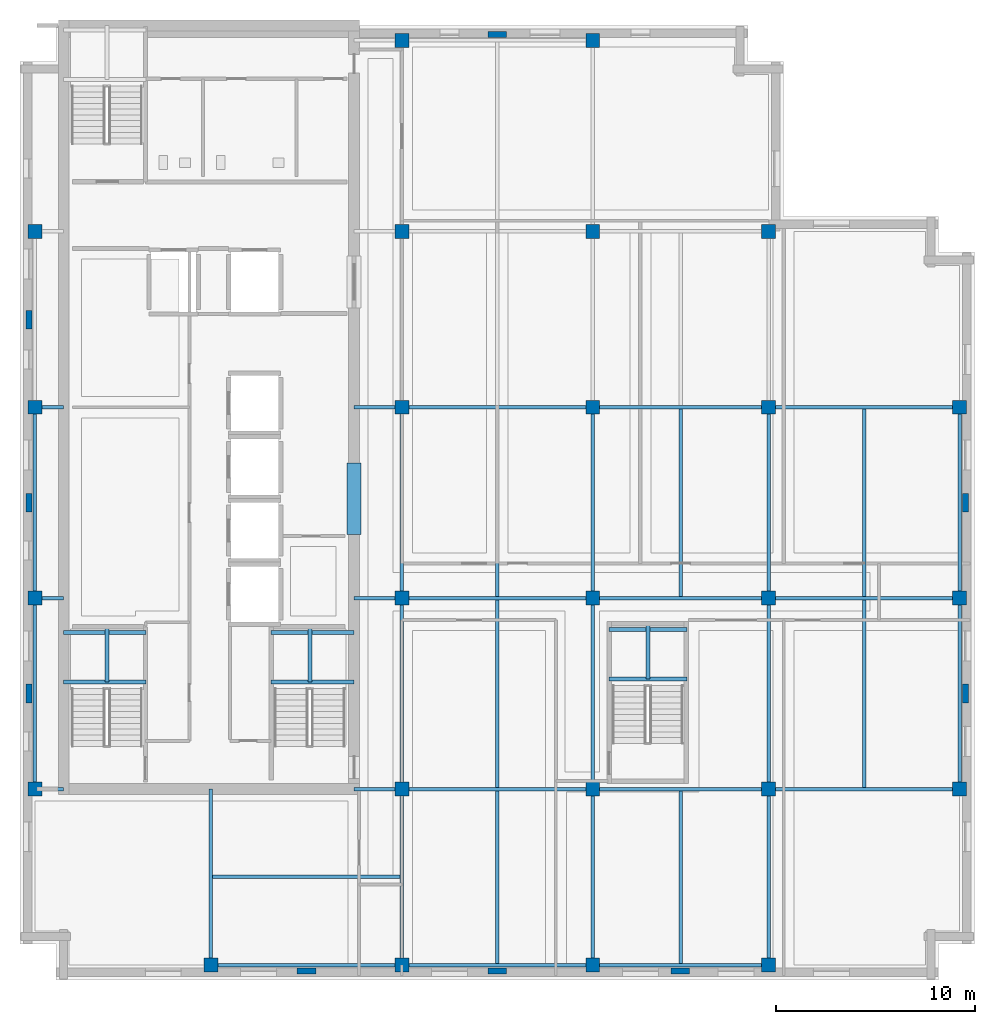
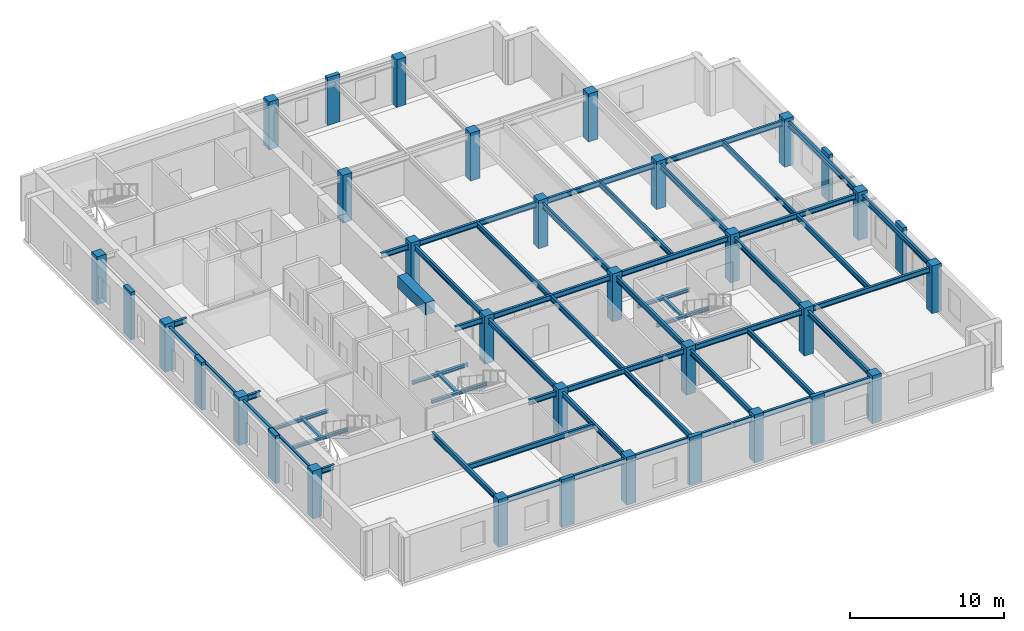
# One storey, part 1 of 11: 50 beams, 34 columns.
"""IFC4 building model written with IfcOpenShell, lengths in metres."""

from ifc_helpers import new_model, si_unit, direction, frame, origin, origin_2d, place, context, subcontext, project, spatial, rectangle, i_section, extrude, material, material_profile, profile_set, type_object, element, save


model = new_model("IFC4")

# Units and contexts
model_context = context("Model", 3, precision=1e-05, world=origin(), true_north=direction((0.0, 1.0)))
body_context = subcontext(model_context, "Body", "Model", "MODEL_VIEW")
ifc_project = project(units=[si_unit("LENGTHUNIT", "METRE"), si_unit("AREAUNIT", "SQUARE_METRE"), si_unit("VOLUMEUNIT", "CUBIC_METRE"), si_unit("PLANEANGLEUNIT", "RADIAN"), si_unit("MASSUNIT", "GRAM", prefix="KILO")], contexts=[model_context])

# Site, building, storey
site_placement = place(None, origin())
site = spatial("IfcSite", under=ifc_project, at=site_placement, CompositionType="ELEMENT")
building_placement = place(site_placement, origin())
building = spatial("IfcBuilding", under=site, at=building_placement, Name="Norrvale University Quadrangle", CompositionType="ELEMENT")
storey_placement = place(building_placement, frame((0.0, 0.0, 288.60009765625)))
storey = spatial("IfcBuildingStorey", under=building, at=storey_placement, Name="L73", CompositionType="ELEMENT", Elevation=288.60009765625)

# Columns
ifc_material_1 = material(Name="Red Manganese Brick Concrete C60/75", Category="concrete")
ifc_material_profile_1 = material_profile(ifc_material_1, rectangle(XDim=0.949951171875, YDim=0.300048828125, at=origin_2d()), Name="Red Manganese Brick Concrete C60/75")
ifc_profile_set_1 = profile_set([ifc_material_profile_1], Name="Red Manganese Brick Concrete C60/75")
column_type_1 = type_object("IfcColumnType", Name="Column Brick Pier 950x300", PredefinedType="PILASTER", material=ifc_profile_set_1)
for number, where, z_axis, x_axis, name in (
    (1, (0.449951171875, 14.39990234375, 0.0), (0.0, 0.0, 1.0), (0.0, 1.0, 0.0), "Exterior Brick Facade Pilaster L73-01"),
    (2, (0.449951171875, 24.0, 0.0), (0.0, 0.0, 1.0), (0.0, 1.0, 0.0), "Exterior Brick Facade Pilaster L73-02"),
    (3, (0.449951171875, 33.199951171875, 0.0), (0.0, 0.0, 1.0), (0.0, 1.0, 0.0), "Exterior Brick Facade Pilaster L73-03"),
    (4, (14.39990234375, 0.449951171875, 0.0), (0.0, 0.0, 1.0), (1.0, 0.0, 0.0), "Exterior Brick Facade Pilaster L73-04"),
    (5, (24.0, 0.449951171875, 0.0), (0.0, 0.0, 1.0), (1.0, 0.0, 0.0), "Exterior Brick Facade Pilaster L73-05"),
    (6, (33.199951171875, 0.449951171875, 0.0), (0.0, 0.0, 1.0), (1.0, 0.0, 0.0), "Exterior Brick Facade Pilaster L73-06"),
    (7, (47.550048828125, 14.39990234375, 0.0), (0.0, 0.0, 1.0), (0.0, 1.0, 0.0), "Exterior Brick Facade Pilaster L73-07"),
    (8, (47.550048828125, 24.0, 0.0), (0.0, 0.0, 1.0), (0.0, 1.0, 0.0), "Exterior Brick Facade Pilaster L73-08"),
    (9, (24.0, 47.550048828125, 0.0), (0.0, 0.0, 1.0), (1.0, 0.0, 0.0), "Exterior Brick Facade Pilaster L73-09"),
):
    element("IfcColumn", number, at=place(storey_placement, frame(where, z_axis=z_axis, x_axis=x_axis)), inside=storey, type_object=column_type_1, Name=name, PredefinedType="PILASTER", context=body_context, shape_type="SweptSolid", body=[
        extrude(rectangle(XDim=0.949951171875, YDim=0.300048828125, at=origin_2d()), origin(), (0.0, 0.0, 1.0), 3.7998046875),
    ])
ifc_material_2 = material(Name="Concrete C60/75", Category="concrete")
ifc_material_profile_2 = material_profile(ifc_material_2, rectangle(XDim=0.699951171875, YDim=0.699951171875, at=origin_2d()), Name="Concrete C60/75")
ifc_profile_set_2 = profile_set([ifc_material_profile_2], Name="Concrete C60/75")
column_type_2 = type_object("IfcColumnType", Name="Column Tower Z4 700x700", PredefinedType="COLUMN", material=ifc_profile_set_2)
for number, where, z_axis, x_axis, name in (
    (10, (0.75, 9.60009765625, 0.0), (0.0, 0.0, 1.0), (1.0, 0.0, 0.0), "Tower Column L73-T01"),
    (11, (0.75, 19.199951171875, 0.0), (0.0, 0.0, 1.0), (1.0, 0.0, 0.0), "Tower Column L73-T02"),
    (12, (0.75, 28.800048828125, 0.0), (0.0, 0.0, 1.0), (1.0, 0.0, 0.0), "Tower Column L73-T03"),
    (13, (0.75, 37.64990234375, 0.0), (0.0, 0.0, 1.0), (1.0, 0.0, 0.0), "Tower Column L73-T04"),
    (14, (9.60009765625, 0.75, 0.0), (0.0, 0.0, 1.0), (1.0, 0.0, 0.0), "Tower Column L73-T05"),
    (15, (19.199951171875, 0.75, 0.0), (0.0, 0.0, 1.0), (1.0, 0.0, 0.0), "Tower Column L73-T06"),
    (16, (19.199951171875, 9.60009765625, 0.0), (0.0, 0.0, 1.0), (1.0, 0.0, 0.0), "Tower Column L73-T07"),
    (17, (19.199951171875, 19.199951171875, 0.0), (0.0, 0.0, 1.0), (1.0, 0.0, 0.0), "Tower Column L73-T08"),
    (18, (19.199951171875, 28.800048828125, 0.0), (0.0, 0.0, 1.0), (1.0, 0.0, 0.0), "Tower Column L73-T09"),
    (19, (19.199951171875, 37.64990234375, 0.0), (0.0, 0.0, 1.0), (1.0, 0.0, 0.0), "Tower Column L73-T10"),
    (20, (19.199951171875, 47.25, 0.0), (0.0, 0.0, 1.0), (1.0, 0.0, 0.0), "Tower Column L73-T11"),
    (21, (28.800048828125, 0.75, 0.0), (0.0, 0.0, 1.0), (1.0, 0.0, 0.0), "Tower Column L73-T12"),
    (22, (28.800048828125, 9.60009765625, 0.0), (0.0, 0.0, 1.0), (1.0, 0.0, 0.0), "Tower Column L73-T13"),
    (23, (28.800048828125, 19.199951171875, 0.0), (0.0, 0.0, 1.0), (1.0, 0.0, 0.0), "Tower Column L73-T14"),
    (24, (28.800048828125, 28.800048828125, 0.0), (0.0, 0.0, 1.0), (1.0, 0.0, 0.0), "Tower Column L73-T15"),
    (25, (28.800048828125, 37.64990234375, 0.0), (0.0, 0.0, 1.0), (1.0, 0.0, 0.0), "Tower Column L73-T16"),
    (26, (28.800048828125, 47.25, 0.0), (0.0, 0.0, 1.0), (1.0, 0.0, 0.0), "Tower Column L73-T17"),
    (27, (37.64990234375, 0.75, 0.0), (0.0, 0.0, 1.0), (1.0, 0.0, 0.0), "Tower Column L73-T18"),
    (28, (37.64990234375, 9.60009765625, 0.0), (0.0, 0.0, 1.0), (1.0, 0.0, 0.0), "Tower Column L73-T19"),
    (29, (37.64990234375, 19.199951171875, 0.0), (0.0, 0.0, 1.0), (1.0, 0.0, 0.0), "Tower Column L73-T20"),
    (30, (37.64990234375, 28.800048828125, 0.0), (0.0, 0.0, 1.0), (1.0, 0.0, 0.0), "Tower Column L73-T21"),
    (31, (37.64990234375, 37.64990234375, 0.0), (0.0, 0.0, 1.0), (1.0, 0.0, 0.0), "Tower Column L73-T22"),
    (32, (47.25, 9.60009765625, 0.0), (0.0, 0.0, 1.0), (1.0, 0.0, 0.0), "Tower Column L73-T23"),
    (33, (47.25, 19.199951171875, 0.0), (0.0, 0.0, 1.0), (1.0, 0.0, 0.0), "Tower Column L73-T24"),
    (34, (47.25, 28.800048828125, 0.0), (0.0, 0.0, 1.0), (1.0, 0.0, 0.0), "Tower Column L73-T25"),
):
    element("IfcColumn", number, at=place(storey_placement, frame(where, z_axis=z_axis, x_axis=x_axis)), inside=storey, type_object=column_type_2, Name=name, PredefinedType="COLUMN", context=body_context, shape_type="SweptSolid", body=[
        extrude(rectangle(XDim=0.699951171875, YDim=0.699951171875, at=origin_2d()), origin(), (0.0, 0.0, 1.0), 3.7998046875),
    ])

# Beams
ifc_material_3 = material(Name="Steel 350W", Category="steel")
ifc_material_profile_3 = material_profile(ifc_material_3, i_section(OverallWidth=0.180908203125, OverallDepth=0.4169921875, WebThickness=0.010986328125, FlangeThickness=0.018310546875, FilletRadius=0.011962890625, at=origin_2d()), Name="Steel 350W")
ifc_profile_set_3 = profile_set([ifc_material_profile_3], Name="Steel 350W")
beam_type_1 = type_object("IfcBeamType", Name="Beam Atrium W410x85", PredefinedType="BEAM", material=ifc_profile_set_3)
beam_1_placement = place(storey_placement, frame((9.60009765625, 0.75, 3.331298828125), z_axis=(1.0, 0.0, 0.0), x_axis=(0.0, 1.0, 0.0)))
element("IfcBeam", 35, at=beam_1_placement, inside=storey, type_object=beam_type_1, Name="Beam Atrium W410x85 BM-L73-GX001", PredefinedType="BEAM", context=body_context, shape_type="SweptSolid", body=[
    extrude(i_section(OverallWidth=0.180908203125, OverallDepth=0.4169921875, WebThickness=0.010986328125, FlangeThickness=0.018310546875, FilletRadius=0.011962890625, at=origin_2d()), origin(), (0.0, 0.0, 1.0), 9.599853515625),
])
beam_2_placement = place(storey_placement, frame((19.199951171875, 0.75, 3.331298828125), z_axis=(1.0, 0.0, 0.0), x_axis=(0.0, 1.0, 0.0)))
element("IfcBeam", 36, at=beam_2_placement, inside=storey, type_object=beam_type_1, Name="Beam Atrium W410x85 BM-L73-GX002", PredefinedType="BEAM", context=body_context, shape_type="SweptSolid", body=[
    extrude(i_section(OverallWidth=0.180908203125, OverallDepth=0.4169921875, WebThickness=0.010986328125, FlangeThickness=0.018310546875, FilletRadius=0.011962890625, at=origin_2d()), origin(), (0.0, 0.0, 1.0), 9.60009765625),
])
beam_3_placement = place(storey_placement, frame((28.800048828125, 0.75, 3.331298828125), z_axis=(1.0, 0.0, 0.0), x_axis=(0.0, 1.0, 0.0)))
element("IfcBeam", 37, at=beam_3_placement, inside=storey, type_object=beam_type_1, Name="Beam Atrium W410x85 BM-L73-GX003", PredefinedType="BEAM", context=body_context, shape_type="SweptSolid", body=[
    extrude(i_section(OverallWidth=0.180908203125, OverallDepth=0.4169921875, WebThickness=0.010986328125, FlangeThickness=0.018310546875, FilletRadius=0.011962890625, at=origin_2d()), origin(), (0.0, 0.0, 1.0), 8.849853515625),
])
beam_4_placement = place(storey_placement, frame((19.199951171875, 9.60009765625, 3.331298828125), z_axis=(1.0, 0.0, 0.0), x_axis=(0.0, 1.0, 0.0)))
element("IfcBeam", 38, at=beam_4_placement, inside=storey, type_object=beam_type_1, Name="Beam Atrium W410x85 BM-L73-GX004", PredefinedType="BEAM", context=body_context, shape_type="SweptSolid", body=[
    extrude(i_section(OverallWidth=0.180908203125, OverallDepth=0.4169921875, WebThickness=0.010986328125, FlangeThickness=0.018310546875, FilletRadius=0.011962890625, at=origin_2d()), origin(), (0.0, 0.0, 1.0), 9.60009765625),
])
beam_5_placement = place(storey_placement, frame((28.800048828125, 9.60009765625, 3.331298828125), z_axis=(1.0, 0.0, 0.0), x_axis=(0.0, 1.0, 0.0)))
element("IfcBeam", 39, at=beam_5_placement, inside=storey, type_object=beam_type_1, Name="Beam Atrium W410x85 BM-L73-GX005", PredefinedType="BEAM", context=body_context, shape_type="SweptSolid", body=[
    extrude(i_section(OverallWidth=0.180908203125, OverallDepth=0.4169921875, WebThickness=0.010986328125, FlangeThickness=0.018310546875, FilletRadius=0.011962890625, at=origin_2d()), origin(), (0.0, 0.0, 1.0), 8.849853515625),
])
for number, where, z_axis, x_axis, name in (
    (40, (37.64990234375, 9.60009765625, 3.331298828125), (1.0, 0.0, 0.0), (0.0, 1.0, 0.0), "Beam Atrium W410x85 BM-L73-GX006"),
    (41, (19.199951171875, 19.199951171875, 3.331298828125), (1.0, 0.0, 0.0), (0.0, 1.0, 0.0), "Beam Atrium W410x85 BM-L73-GX007"),
):
    element("IfcBeam", number, at=place(storey_placement, frame(where, z_axis=z_axis, x_axis=x_axis)), inside=storey, type_object=beam_type_1, Name=name, PredefinedType="BEAM", context=body_context, shape_type="SweptSolid", body=[
        extrude(i_section(OverallWidth=0.180908203125, OverallDepth=0.4169921875, WebThickness=0.010986328125, FlangeThickness=0.018310546875, FilletRadius=0.011962890625, at=origin_2d()), origin(), (0.0, 0.0, 1.0), 9.60009765625),
    ])
beam_6_placement = place(storey_placement, frame((28.800048828125, 19.199951171875, 3.331298828125), z_axis=(1.0, 0.0, 0.0), x_axis=(0.0, 1.0, 0.0)))
element("IfcBeam", 42, at=beam_6_placement, inside=storey, type_object=beam_type_1, Name="Beam Atrium W410x85 BM-L73-GX008", PredefinedType="BEAM", context=body_context, shape_type="SweptSolid", body=[
    extrude(i_section(OverallWidth=0.180908203125, OverallDepth=0.4169921875, WebThickness=0.010986328125, FlangeThickness=0.018310546875, FilletRadius=0.011962890625, at=origin_2d()), origin(), (0.0, 0.0, 1.0), 8.849853515625),
])
for number, where, z_axis, x_axis, name in (
    (43, (37.64990234375, 19.199951171875, 3.331298828125), (1.0, 0.0, 0.0), (0.0, 1.0, 0.0), "Beam Atrium W410x85 BM-L73-GX009"),
    (44, (19.199951171875, 28.800048828125, 3.331298828125), (1.0, 0.0, 0.0), (0.0, 1.0, 0.0), "Beam Atrium W410x85 BM-L73-GX010"),
):
    element("IfcBeam", number, at=place(storey_placement, frame(where, z_axis=z_axis, x_axis=x_axis)), inside=storey, type_object=beam_type_1, Name=name, PredefinedType="BEAM", context=body_context, shape_type="SweptSolid", body=[
        extrude(i_section(OverallWidth=0.180908203125, OverallDepth=0.4169921875, WebThickness=0.010986328125, FlangeThickness=0.018310546875, FilletRadius=0.011962890625, at=origin_2d()), origin(), (0.0, 0.0, 1.0), 9.60009765625),
    ])
beam_7_placement = place(storey_placement, frame((28.800048828125, 28.800048828125, 3.331298828125), z_axis=(1.0, 0.0, 0.0), x_axis=(0.0, 1.0, 0.0)))
element("IfcBeam", 45, at=beam_7_placement, inside=storey, type_object=beam_type_1, Name="Beam Atrium W410x85 BM-L73-GX011", PredefinedType="BEAM", context=body_context, shape_type="SweptSolid", body=[
    extrude(i_section(OverallWidth=0.180908203125, OverallDepth=0.4169921875, WebThickness=0.010986328125, FlangeThickness=0.018310546875, FilletRadius=0.011962890625, at=origin_2d()), origin(), (0.0, 0.0, 1.0), 8.849853515625),
])
beam_8_placement = place(storey_placement, frame((37.64990234375, 28.800048828125, 3.331298828125), z_axis=(1.0, 0.0, 0.0), x_axis=(0.0, 1.0, 0.0)))
element("IfcBeam", 46, at=beam_8_placement, inside=storey, type_object=beam_type_1, Name="Beam Atrium W410x85 BM-L73-GX012", PredefinedType="BEAM", context=body_context, shape_type="SweptSolid", body=[
    extrude(i_section(OverallWidth=0.180908203125, OverallDepth=0.4169921875, WebThickness=0.010986328125, FlangeThickness=0.018310546875, FilletRadius=0.011962890625, at=origin_2d()), origin(), (0.0, 0.0, 1.0), 9.60009765625),
])
beam_9_placement = place(storey_placement, frame((0.75, 9.60009765625, 3.331298828125), z_axis=(0.0, 1.0, 0.0), x_axis=(-1.0, 0.0, 0.0)))
element("IfcBeam", 47, at=beam_9_placement, inside=storey, type_object=beam_type_1, Name="Beam Atrium W410x85 BM-L73-GY016", PredefinedType="BEAM", context=body_context, shape_type="SweptSolid", body=[
    extrude(i_section(OverallWidth=0.180908203125, OverallDepth=0.4169921875, WebThickness=0.010986328125, FlangeThickness=0.018310546875, FilletRadius=0.011962890625, at=origin_2d()), origin(), (0.0, 0.0, 1.0), 9.599853515625),
])
beam_10_placement = place(storey_placement, frame((0.75, 19.199951171875, 3.331298828125), z_axis=(0.0, 1.0, 0.0), x_axis=(-1.0, 0.0, 0.0)))
element("IfcBeam", 48, at=beam_10_placement, inside=storey, type_object=beam_type_1, Name="Beam Atrium W410x85 BM-L73-GY017", PredefinedType="BEAM", context=body_context, shape_type="SweptSolid", body=[
    extrude(i_section(OverallWidth=0.180908203125, OverallDepth=0.4169921875, WebThickness=0.010986328125, FlangeThickness=0.018310546875, FilletRadius=0.011962890625, at=origin_2d()), origin(), (0.0, 0.0, 1.0), 9.60009765625),
])
beam_11_placement = place(storey_placement, frame((19.199951171875, 0.75, 3.331298828125), z_axis=(0.0, 1.0, 0.0), x_axis=(-1.0, 0.0, 0.0)))
element("IfcBeam", 49, at=beam_11_placement, inside=storey, type_object=beam_type_1, Name="Beam Atrium W410x85 BM-L73-GY019", PredefinedType="BEAM", context=body_context, shape_type="SweptSolid", body=[
    extrude(i_section(OverallWidth=0.180908203125, OverallDepth=0.4169921875, WebThickness=0.010986328125, FlangeThickness=0.018310546875, FilletRadius=0.011962890625, at=origin_2d()), origin(), (0.0, 0.0, 1.0), 8.85009765625),
])
beam_12_placement = place(storey_placement, frame((19.199951171875, 9.60009765625, 3.331298828125), z_axis=(0.0, 1.0, 0.0), x_axis=(-1.0, 0.0, 0.0)))
element("IfcBeam", 50, at=beam_12_placement, inside=storey, type_object=beam_type_1, Name="Beam Atrium W410x85 BM-L73-GY020", PredefinedType="BEAM", context=body_context, shape_type="SweptSolid", body=[
    extrude(i_section(OverallWidth=0.180908203125, OverallDepth=0.4169921875, WebThickness=0.010986328125, FlangeThickness=0.018310546875, FilletRadius=0.011962890625, at=origin_2d()), origin(), (0.0, 0.0, 1.0), 9.599853515625),
])
beam_13_placement = place(storey_placement, frame((19.199951171875, 19.199951171875, 3.331298828125), z_axis=(0.0, 1.0, 0.0), x_axis=(-1.0, 0.0, 0.0)))
element("IfcBeam", 51, at=beam_13_placement, inside=storey, type_object=beam_type_1, Name="Beam Atrium W410x85 BM-L73-GY021", PredefinedType="BEAM", context=body_context, shape_type="SweptSolid", body=[
    extrude(i_section(OverallWidth=0.180908203125, OverallDepth=0.4169921875, WebThickness=0.010986328125, FlangeThickness=0.018310546875, FilletRadius=0.011962890625, at=origin_2d()), origin(), (0.0, 0.0, 1.0), 9.60009765625),
])
beam_14_placement = place(storey_placement, frame((28.800048828125, 0.75, 3.331298828125), z_axis=(0.0, 1.0, 0.0), x_axis=(-1.0, 0.0, 0.0)))
element("IfcBeam", 52, at=beam_14_placement, inside=storey, type_object=beam_type_1, Name="Beam Atrium W410x85 BM-L73-GY024", PredefinedType="BEAM", context=body_context, shape_type="SweptSolid", body=[
    extrude(i_section(OverallWidth=0.180908203125, OverallDepth=0.4169921875, WebThickness=0.010986328125, FlangeThickness=0.018310546875, FilletRadius=0.011962890625, at=origin_2d()), origin(), (0.0, 0.0, 1.0), 8.85009765625),
])
beam_15_placement = place(storey_placement, frame((28.800048828125, 9.60009765625, 3.331298828125), z_axis=(0.0, 1.0, 0.0), x_axis=(-1.0, 0.0, 0.0)))
element("IfcBeam", 53, at=beam_15_placement, inside=storey, type_object=beam_type_1, Name="Beam Atrium W410x85 BM-L73-GY025", PredefinedType="BEAM", context=body_context, shape_type="SweptSolid", body=[
    extrude(i_section(OverallWidth=0.180908203125, OverallDepth=0.4169921875, WebThickness=0.010986328125, FlangeThickness=0.018310546875, FilletRadius=0.011962890625, at=origin_2d()), origin(), (0.0, 0.0, 1.0), 9.599853515625),
])
beam_16_placement = place(storey_placement, frame((28.800048828125, 19.199951171875, 3.331298828125), z_axis=(0.0, 1.0, 0.0), x_axis=(-1.0, 0.0, 0.0)))
element("IfcBeam", 54, at=beam_16_placement, inside=storey, type_object=beam_type_1, Name="Beam Atrium W410x85 BM-L73-GY026", PredefinedType="BEAM", context=body_context, shape_type="SweptSolid", body=[
    extrude(i_section(OverallWidth=0.180908203125, OverallDepth=0.4169921875, WebThickness=0.010986328125, FlangeThickness=0.018310546875, FilletRadius=0.011962890625, at=origin_2d()), origin(), (0.0, 0.0, 1.0), 9.60009765625),
])
beam_17_placement = place(storey_placement, frame((37.64990234375, 0.75, 3.331298828125), z_axis=(0.0, 1.0, 0.0), x_axis=(-1.0, 0.0, 0.0)))
element("IfcBeam", 55, at=beam_17_placement, inside=storey, type_object=beam_type_1, Name="Beam Atrium W410x85 BM-L73-GY029", PredefinedType="BEAM", context=body_context, shape_type="SweptSolid", body=[
    extrude(i_section(OverallWidth=0.180908203125, OverallDepth=0.4169921875, WebThickness=0.010986328125, FlangeThickness=0.018310546875, FilletRadius=0.011962890625, at=origin_2d()), origin(), (0.0, 0.0, 1.0), 8.85009765625),
])
beam_18_placement = place(storey_placement, frame((37.64990234375, 9.60009765625, 3.331298828125), z_axis=(0.0, 1.0, 0.0), x_axis=(-1.0, 0.0, 0.0)))
element("IfcBeam", 56, at=beam_18_placement, inside=storey, type_object=beam_type_1, Name="Beam Atrium W410x85 BM-L73-GY030", PredefinedType="BEAM", context=body_context, shape_type="SweptSolid", body=[
    extrude(i_section(OverallWidth=0.180908203125, OverallDepth=0.4169921875, WebThickness=0.010986328125, FlangeThickness=0.018310546875, FilletRadius=0.011962890625, at=origin_2d()), origin(), (0.0, 0.0, 1.0), 9.599853515625),
])
beam_19_placement = place(storey_placement, frame((37.64990234375, 19.199951171875, 3.331298828125), z_axis=(0.0, 1.0, 0.0), x_axis=(-1.0, 0.0, 0.0)))
element("IfcBeam", 57, at=beam_19_placement, inside=storey, type_object=beam_type_1, Name="Beam Atrium W410x85 BM-L73-GY031", PredefinedType="BEAM", context=body_context, shape_type="SweptSolid", body=[
    extrude(i_section(OverallWidth=0.180908203125, OverallDepth=0.4169921875, WebThickness=0.010986328125, FlangeThickness=0.018310546875, FilletRadius=0.011962890625, at=origin_2d()), origin(), (0.0, 0.0, 1.0), 9.60009765625),
])
beam_20_placement = place(storey_placement, frame((47.25, 9.60009765625, 3.331298828125), z_axis=(0.0, 1.0, 0.0), x_axis=(-1.0, 0.0, 0.0)))
element("IfcBeam", 58, at=beam_20_placement, inside=storey, type_object=beam_type_1, Name="Beam Atrium W410x85 BM-L73-GY033", PredefinedType="BEAM", context=body_context, shape_type="SweptSolid", body=[
    extrude(i_section(OverallWidth=0.180908203125, OverallDepth=0.4169921875, WebThickness=0.010986328125, FlangeThickness=0.018310546875, FilletRadius=0.011962890625, at=origin_2d()), origin(), (0.0, 0.0, 1.0), 9.599853515625),
])
beam_21_placement = place(storey_placement, frame((47.25, 19.199951171875, 3.331298828125), z_axis=(0.0, 1.0, 0.0), x_axis=(-1.0, 0.0, 0.0)))
element("IfcBeam", 59, at=beam_21_placement, inside=storey, type_object=beam_type_1, Name="Beam Atrium W410x85 BM-L73-GY034", PredefinedType="BEAM", context=body_context, shape_type="SweptSolid", body=[
    extrude(i_section(OverallWidth=0.180908203125, OverallDepth=0.4169921875, WebThickness=0.010986328125, FlangeThickness=0.018310546875, FilletRadius=0.011962890625, at=origin_2d()), origin(), (0.0, 0.0, 1.0), 9.60009765625),
])
beam_22_placement = place(storey_placement, frame((0.75, 9.60009765625, 3.331298828125), z_axis=(1.0, 0.0, 0.0), x_axis=(0.0, 1.0, 0.0)))
element("IfcBeam", 60, at=beam_22_placement, inside=storey, type_object=beam_type_1, Name="Beam Atrium W410x85 BM-L73-GCW035", PredefinedType="BEAM", context=body_context, shape_type="SweptSolid", body=[
    extrude(i_section(OverallWidth=0.180908203125, OverallDepth=0.4169921875, WebThickness=0.010986328125, FlangeThickness=0.018310546875, FilletRadius=0.011962890625, at=origin_2d()), origin(), (0.0, 0.0, 1.0), 1.449951171875),
])
beam_23_placement = place(storey_placement, frame((16.800048828125, 9.60009765625, 3.331298828125), z_axis=(1.0, 0.0, 0.0), x_axis=(0.0, 1.0, 0.0)))
element("IfcBeam", 61, at=beam_23_placement, inside=storey, type_object=beam_type_1, Name="Beam Atrium W410x85 BM-L73-GCE036", PredefinedType="BEAM", context=body_context, shape_type="SweptSolid", body=[
    extrude(i_section(OverallWidth=0.180908203125, OverallDepth=0.4169921875, WebThickness=0.010986328125, FlangeThickness=0.018310546875, FilletRadius=0.011962890625, at=origin_2d()), origin(), (0.0, 0.0, 1.0), 2.39990234375),
])
beam_24_placement = place(storey_placement, frame((0.75, 19.199951171875, 3.331298828125), z_axis=(1.0, 0.0, 0.0), x_axis=(0.0, 1.0, 0.0)))
element("IfcBeam", 62, at=beam_24_placement, inside=storey, type_object=beam_type_1, Name="Beam Atrium W410x85 BM-L73-GCW037", PredefinedType="BEAM", context=body_context, shape_type="SweptSolid", body=[
    extrude(i_section(OverallWidth=0.180908203125, OverallDepth=0.4169921875, WebThickness=0.010986328125, FlangeThickness=0.018310546875, FilletRadius=0.011962890625, at=origin_2d()), origin(), (0.0, 0.0, 1.0), 1.449951171875),
])
beam_25_placement = place(storey_placement, frame((16.800048828125, 19.199951171875, 3.331298828125), z_axis=(1.0, 0.0, 0.0), x_axis=(0.0, 1.0, 0.0)))
element("IfcBeam", 63, at=beam_25_placement, inside=storey, type_object=beam_type_1, Name="Beam Atrium W410x85 BM-L73-GCE038", PredefinedType="BEAM", context=body_context, shape_type="SweptSolid", body=[
    extrude(i_section(OverallWidth=0.180908203125, OverallDepth=0.4169921875, WebThickness=0.010986328125, FlangeThickness=0.018310546875, FilletRadius=0.011962890625, at=origin_2d()), origin(), (0.0, 0.0, 1.0), 2.39990234375),
])
beam_26_placement = place(storey_placement, frame((0.75, 28.800048828125, 3.331298828125), z_axis=(1.0, 0.0, 0.0), x_axis=(0.0, 1.0, 0.0)))
element("IfcBeam", 64, at=beam_26_placement, inside=storey, type_object=beam_type_1, Name="Beam Atrium W410x85 BM-L73-GCW039", PredefinedType="BEAM", context=body_context, shape_type="SweptSolid", body=[
    extrude(i_section(OverallWidth=0.180908203125, OverallDepth=0.4169921875, WebThickness=0.010986328125, FlangeThickness=0.018310546875, FilletRadius=0.011962890625, at=origin_2d()), origin(), (0.0, 0.0, 1.0), 1.449951171875),
])
beam_27_placement = place(storey_placement, frame((16.800048828125, 28.800048828125, 3.331298828125), z_axis=(1.0, 0.0, 0.0), x_axis=(0.0, 1.0, 0.0)))
element("IfcBeam", 65, at=beam_27_placement, inside=storey, type_object=beam_type_1, Name="Beam Atrium W410x85 BM-L73-GCE040", PredefinedType="BEAM", context=body_context, shape_type="SweptSolid", body=[
    extrude(i_section(OverallWidth=0.180908203125, OverallDepth=0.4169921875, WebThickness=0.010986328125, FlangeThickness=0.018310546875, FilletRadius=0.011962890625, at=origin_2d()), origin(), (0.0, 0.0, 1.0), 2.39990234375),
])
beam_28_placement = place(storey_placement, frame((9.60009765625, 0.75, 3.331298828125), z_axis=(0.0, 1.0, 0.0), x_axis=(-1.0, 0.0, 0.0)))
element("IfcBeam", 66, at=beam_28_placement, inside=storey, type_object=beam_type_1, Name="Beam Atrium W410x85 BM-L73-GCS054", PredefinedType="BEAM", context=body_context, shape_type="SweptSolid", body=[
    extrude(i_section(OverallWidth=0.180908203125, OverallDepth=0.4169921875, WebThickness=0.010986328125, FlangeThickness=0.018310546875, FilletRadius=0.011962890625, at=origin_2d()), origin(), (0.0, 0.0, 1.0), 8.85009765625),
])
ifc_material_4 = material(Name="Concrete C80/95", Category="concrete")
ifc_material_profile_4 = material_profile(ifc_material_4, rectangle(XDim=0.699951171875, YDim=0.949951171875, at=origin_2d()), Name="Concrete C80/95")
ifc_profile_set_4 = profile_set([ifc_material_profile_4], Name="Concrete C80/95")
beam_type_2 = type_object("IfcBeamType", Name="Beam Core Link 700x950", PredefinedType="LINTEL", material=ifc_profile_set_4)
beam_29_placement = place(storey_placement, frame((16.800048828125, 22.39990234375, 3.06494140625), z_axis=(0.0, 1.0, 0.0), x_axis=(-1.0, 0.0, 0.0)))
element("IfcBeam", 67, at=beam_29_placement, inside=storey, type_object=beam_type_2, Name="Core Coupling Lintel Beam L73-1", PredefinedType="LINTEL", context=body_context, shape_type="SweptSolid", body=[
    extrude(rectangle(XDim=0.699951171875, YDim=0.949951171875, at=origin_2d()), origin(), (0.0, 0.0, 1.0), 3.60009765625),
])
ifc_material_profile_5 = material_profile(ifc_material_3, i_section(OverallWidth=0.177978515625, OverallDepth=0.406982421875, WebThickness=0.0078125, FlangeThickness=0.0126953125, FilletRadius=0.011962890625, at=origin_2d()), Name="Steel 350W")
ifc_profile_set_5 = profile_set([ifc_material_profile_5], Name="Steel 350W")
beam_type_3 = type_object("IfcBeamType", Name="Beam Roof Purlin W410x60", PredefinedType="USERDEFINED", material=ifc_profile_set_5)
beam_30_placement = place(storey_placement, frame((24.0, 0.840576171875, 3.33642578125), z_axis=(0.0, 1.0, 0.0), x_axis=(-1.0, 0.0, 0.0)))
element("IfcBeam", 68, at=beam_30_placement, inside=storey, type_object=beam_type_3, Name="Beam Roof Purlin W410x60 BM-L73-J044", ObjectType="PURLIN", PredefinedType="USERDEFINED", context=body_context, shape_type="SweptSolid", body=[
    extrude(i_section(OverallWidth=0.177978515625, OverallDepth=0.406982421875, WebThickness=0.0078125, FlangeThickness=0.0126953125, FilletRadius=0.011962890625, at=origin_2d()), origin(), (0.0, 0.0, 1.0), 8.6689453125),
])
beam_31_placement = place(storey_placement, frame((24.0, 9.6904296875, 3.33642578125), z_axis=(0.0, 1.0, 0.0), x_axis=(-1.0, 0.0, 0.0)))
element("IfcBeam", 69, at=beam_31_placement, inside=storey, type_object=beam_type_3, Name="Beam Roof Purlin W410x60 BM-L73-J045", ObjectType="PURLIN", PredefinedType="USERDEFINED", context=body_context, shape_type="SweptSolid", body=[
    extrude(i_section(OverallWidth=0.177978515625, OverallDepth=0.406982421875, WebThickness=0.0078125, FlangeThickness=0.0126953125, FilletRadius=0.011962890625, at=origin_2d()), origin(), (0.0, 0.0, 1.0), 9.419189453125),
])
beam_32_placement = place(storey_placement, frame((24.0, 19.29052734375, 3.33642578125), z_axis=(0.0, 1.0, 0.0), x_axis=(-1.0, 0.0, 0.0)))
element("IfcBeam", 70, at=beam_32_placement, inside=storey, type_object=beam_type_3, Name="Beam Roof Purlin W410x60 BM-L73-J046", ObjectType="PURLIN", PredefinedType="USERDEFINED", context=body_context, shape_type="SweptSolid", body=[
    extrude(i_section(OverallWidth=0.177978515625, OverallDepth=0.406982421875, WebThickness=0.0078125, FlangeThickness=0.0126953125, FilletRadius=0.011962890625, at=origin_2d()), origin(), (0.0, 0.0, 1.0), 9.4189453125),
])
beam_33_placement = place(storey_placement, frame((33.22509765625, 0.840576171875, 3.33642578125), z_axis=(0.0, 1.0, 0.0), x_axis=(-1.0, 0.0, 0.0)))
element("IfcBeam", 71, at=beam_33_placement, inside=storey, type_object=beam_type_3, Name="Beam Roof Purlin W410x60 BM-L73-J049", ObjectType="PURLIN", PredefinedType="USERDEFINED", context=body_context, shape_type="SweptSolid", body=[
    extrude(i_section(OverallWidth=0.177978515625, OverallDepth=0.406982421875, WebThickness=0.0078125, FlangeThickness=0.0126953125, FilletRadius=0.011962890625, at=origin_2d()), origin(), (0.0, 0.0, 1.0), 8.6689453125),
])
beam_34_placement = place(storey_placement, frame((33.22509765625, 19.29052734375, 3.33642578125), z_axis=(0.0, 1.0, 0.0), x_axis=(-1.0, 0.0, 0.0)))
element("IfcBeam", 72, at=beam_34_placement, inside=storey, type_object=beam_type_3, Name="Beam Roof Purlin W410x60 BM-L73-J050", ObjectType="PURLIN", PredefinedType="USERDEFINED", context=body_context, shape_type="SweptSolid", body=[
    extrude(i_section(OverallWidth=0.177978515625, OverallDepth=0.406982421875, WebThickness=0.0078125, FlangeThickness=0.0126953125, FilletRadius=0.011962890625, at=origin_2d()), origin(), (0.0, 0.0, 1.0), 9.4189453125),
])
beam_35_placement = place(storey_placement, frame((42.449951171875, 9.6904296875, 3.33642578125), z_axis=(0.0, 1.0, 0.0), x_axis=(-1.0, 0.0, 0.0)))
element("IfcBeam", 73, at=beam_35_placement, inside=storey, type_object=beam_type_3, Name="Beam Roof Purlin W410x60 BM-L73-J052", ObjectType="PURLIN", PredefinedType="USERDEFINED", context=body_context, shape_type="SweptSolid", body=[
    extrude(i_section(OverallWidth=0.177978515625, OverallDepth=0.406982421875, WebThickness=0.0078125, FlangeThickness=0.0126953125, FilletRadius=0.011962890625, at=origin_2d()), origin(), (0.0, 0.0, 1.0), 9.419189453125),
])
beam_36_placement = place(storey_placement, frame((42.449951171875, 19.29052734375, 3.33642578125), z_axis=(0.0, 1.0, 0.0), x_axis=(-1.0, 0.0, 0.0)))
element("IfcBeam", 74, at=beam_36_placement, inside=storey, type_object=beam_type_3, Name="Beam Roof Purlin W410x60 BM-L73-J053", ObjectType="PURLIN", PredefinedType="USERDEFINED", context=body_context, shape_type="SweptSolid", body=[
    extrude(i_section(OverallWidth=0.177978515625, OverallDepth=0.406982421875, WebThickness=0.0078125, FlangeThickness=0.0126953125, FilletRadius=0.011962890625, at=origin_2d()), origin(), (0.0, 0.0, 1.0), 9.4189453125),
])
beam_37_placement = place(storey_placement, frame((9.6904296875, 5.199951171875, 3.33642578125), z_axis=(1.0, 0.0, 0.0), x_axis=(0.0, 1.0, 0.0)))
element("IfcBeam", 75, at=beam_37_placement, inside=storey, type_object=beam_type_3, Name="Beam Roof Purlin W410x60 BM-L73-JCS055", ObjectType="PURLIN", PredefinedType="USERDEFINED", context=body_context, shape_type="SweptSolid", body=[
    extrude(i_section(OverallWidth=0.177978515625, OverallDepth=0.406982421875, WebThickness=0.0078125, FlangeThickness=0.0126953125, FilletRadius=0.011962890625, at=origin_2d()), origin(), (0.0, 0.0, 1.0), 9.419189453125),
])
ifc_material_profile_6 = material_profile(ifc_material_3, i_section(OverallWidth=0.201904296875, OverallDepth=0.2470703125, WebThickness=0.00732421875, FlangeThickness=0.010986328125, FilletRadius=0.011962890625, at=origin_2d()), Name="Steel 350W")
ifc_profile_set_6 = profile_set([ifc_material_profile_6], Name="Steel 350W")
beam_type_4 = type_object("IfcBeamType", Name="Beam Stair W250x49", PredefinedType="BEAM", material=ifc_profile_set_6)
for number, where, z_axis, x_axis, name in (
    (76, (2.199951171875, 14.989990234375, 1.576416015625), (1.0, 0.0, 0.0), (0.0, 1.0, 0.0), "Stair Mid-Landing Front Beam ST-01 L73"),
    (77, (2.199951171875, 17.469970703125, 1.576416015625), (1.0, 0.0, 0.0), (0.0, 1.0, 0.0), "Stair Mid-Landing Rear Beam ST-01 L73"),
):
    element("IfcBeam", number, at=place(storey_placement, frame(where, z_axis=z_axis, x_axis=x_axis)), inside=storey, type_object=beam_type_4, Name=name, PredefinedType="BEAM", context=body_context, shape_type="SweptSolid", body=[
        extrude(i_section(OverallWidth=0.201904296875, OverallDepth=0.2470703125, WebThickness=0.00732421875, FlangeThickness=0.010986328125, FilletRadius=0.011962890625, at=origin_2d()), origin(), (0.0, 0.0, 1.0), 4.14013671875),
    ])
for number, where, z_axis, x_axis, name in (
    (78, (12.610107421875, 14.989990234375, 1.576416015625), (1.0, 0.0, 0.0), (0.0, 1.0, 0.0), "Stair Mid-Landing Front Beam ST-03 L73"),
    (79, (12.610107421875, 17.469970703125, 1.576416015625), (1.0, 0.0, 0.0), (0.0, 1.0, 0.0), "Stair Mid-Landing Rear Beam ST-03 L73"),
):
    element("IfcBeam", number, at=place(storey_placement, frame(where, z_axis=z_axis, x_axis=x_axis)), inside=storey, type_object=beam_type_4, Name=name, PredefinedType="BEAM", context=body_context, shape_type="SweptSolid", body=[
        extrude(i_section(OverallWidth=0.201904296875, OverallDepth=0.2470703125, WebThickness=0.00732421875, FlangeThickness=0.010986328125, FilletRadius=0.011962890625, at=origin_2d()), origin(), (0.0, 0.0, 1.0), 4.18994140625),
    ])
for number, where, z_axis, x_axis, name in (
    (80, (29.610107421875, 15.139892578125, 1.576416015625), (1.0, 0.0, 0.0), (0.0, 1.0, 0.0), "Stair Mid-Landing Front Beam ST-04 L73"),
    (81, (29.610107421875, 17.6201171875, 1.576416015625), (1.0, 0.0, 0.0), (0.0, 1.0, 0.0), "Stair Mid-Landing Rear Beam ST-04 L73"),
):
    element("IfcBeam", number, at=place(storey_placement, frame(where, z_axis=z_axis, x_axis=x_axis)), inside=storey, type_object=beam_type_4, Name=name, PredefinedType="BEAM", context=body_context, shape_type="SweptSolid", body=[
        extrude(i_section(OverallWidth=0.201904296875, OverallDepth=0.2470703125, WebThickness=0.00732421875, FlangeThickness=0.010986328125, FilletRadius=0.011962890625, at=origin_2d()), origin(), (0.0, 0.0, 1.0), 3.929931640625),
    ])
ifc_material_profile_7 = material_profile(ifc_material_3, i_section(OverallWidth=0.202880859375, OverallDepth=0.202880859375, WebThickness=0.007080078125, FlangeThickness=0.010986328125, FilletRadius=0.010009765625, at=origin_2d()), Name="Steel 350W")
ifc_profile_set_7 = profile_set([ifc_material_profile_7], Name="Steel 350W")
beam_type_5 = type_object("IfcBeamType", Name="Beam Trim W200x46", PredefinedType="BEAM", material=ifc_profile_set_7)
for number, where, z_axis, x_axis, name in (
    (82, (4.375, 14.989990234375, 1.598388671875), (0.0, 1.0, 0.0), (-1.0, 0.0, 0.0), "Stair Mid-Landing Cross Beam ST-01 L73"),
    (83, (14.574951171875, 14.989990234375, 1.598388671875), (0.0, 1.0, 0.0), (-1.0, 0.0, 0.0), "Stair Mid-Landing Cross Beam ST-03 L73"),
    (84, (31.574951171875, 15.139892578125, 1.598388671875), (0.0, 1.0, 0.0), (-1.0, 0.0, 0.0), "Stair Mid-Landing Cross Beam ST-04 L73"),
):
    element("IfcBeam", number, at=place(storey_placement, frame(where, z_axis=z_axis, x_axis=x_axis)), inside=storey, type_object=beam_type_5, Name=name, PredefinedType="BEAM", context=body_context, shape_type="SweptSolid", body=[
        extrude(i_section(OverallWidth=0.202880859375, OverallDepth=0.202880859375, WebThickness=0.007080078125, FlangeThickness=0.010986328125, FilletRadius=0.010009765625, at=origin_2d()), origin(), (0.0, 0.0, 1.0), 2.800048828125),
    ])

save(model, "model.ifc")
